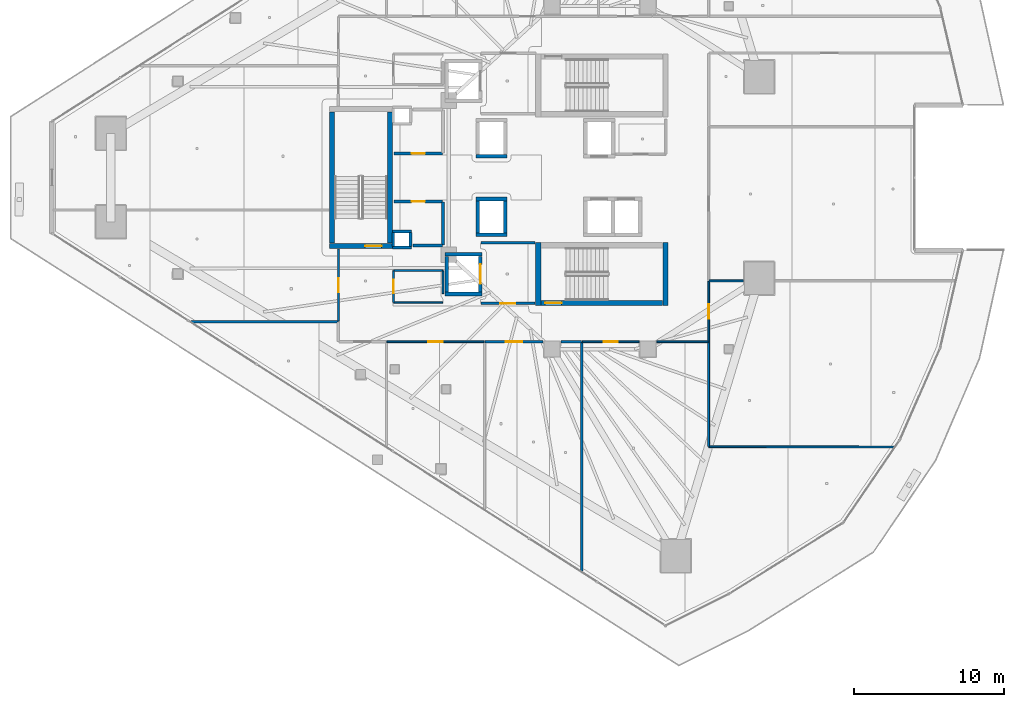
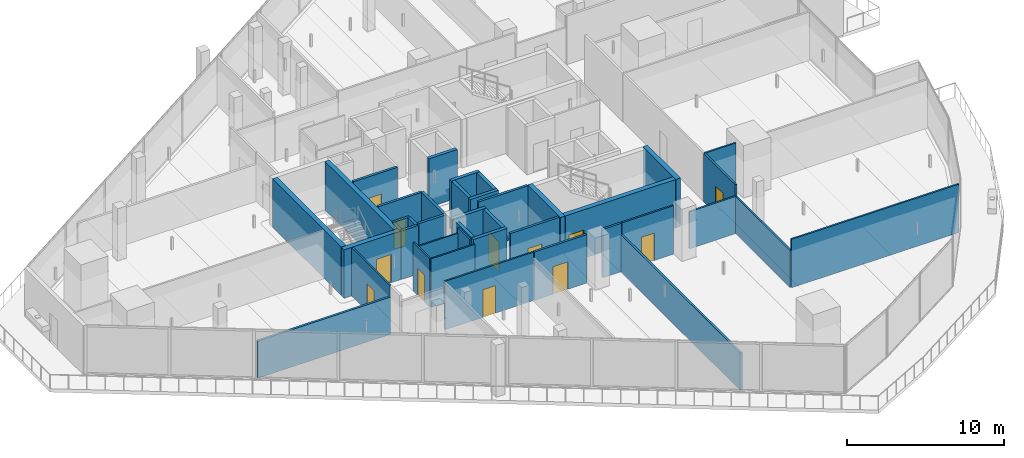
# One storey, part 24 of 38: 41 walls, 12 doors, 12 openings.
"""IFC4 building model written with IfcOpenShell, lengths in metres."""

from ifc_helpers import new_model, si_unit, direction, frame, frame_2d, origin, place, context, subcontext, project, spatial, rectangle, extrude, material, layer, layer_set, type_object, element, fill, save


model = new_model("IFC4")

# Units and contexts
model_context = context("Model", 3, precision=1e-05, world=origin(), true_north=direction((0.0, 1.0)))
body_context = subcontext(model_context, "Body", "Model", "MODEL_VIEW")
ifc_project = project(units=[si_unit("LENGTHUNIT", "METRE"), si_unit("AREAUNIT", "SQUARE_METRE"), si_unit("VOLUMEUNIT", "CUBIC_METRE"), si_unit("PLANEANGLEUNIT", "RADIAN"), si_unit("MASSUNIT", "GRAM", prefix="KILO")], contexts=[model_context])

# Site, building, storey
site_placement = place(None, origin())
site = spatial("IfcSite", under=ifc_project, at=site_placement, CompositionType="ELEMENT")
building_placement = place(site_placement, origin())
building = spatial("IfcBuilding", under=site, at=building_placement, Name="Qorvath Tower", CompositionType="ELEMENT")
storey_placement = place(building_placement, frame((0.0, 0.0, 146.25)))
storey = spatial("IfcBuildingStorey", under=building, at=storey_placement, Name="L33", CompositionType="ELEMENT", Elevation=146.25)

# Walls
ifc_material_1 = material(Name="Gypsum shaftliner on steel studs", Category="steel")
ifc_layer_1 = layer(ifc_material_1, 0.179931640625)
ifc_layer_set_1 = layer_set([ifc_layer_1], Name="FW-LOBBY")
wall_type_1 = type_object("IfcWallType", Name="FW-LOBBY", PredefinedType="PARTITIONING", material=ifc_layer_set_1)
for number, where, z_axis, x_axis, name in (
    (1, (-32.989990234375, -4.675048828125, 0.0), (0.0, 0.0, 1.0), (-1.0, 0.0, 0.0), "MEP Riser Shaft Enclosure Wall S-L33-S"),
    (2, (-34.260009765625, -3.594970703125, 0.0), (0.0, 0.0, 1.0), (1.0, 0.0, 0.0), "MEP Riser Shaft Enclosure Wall S-L33-N"),
):
    element("IfcWall", number, at=place(storey_placement, frame(where, z_axis=z_axis, x_axis=x_axis)), inside=storey, type_object=wall_type_1, Name=name, PredefinedType="PARTITIONING", context=body_context, shape_type="SweptSolid", body=[
        extrude(rectangle(XDim=1.27001953125, YDim=0.179931640625, at=frame_2d((0.635009765625, 0.0))), origin(), (0.0, 0.0, 1.0), 3.780029296875),
    ])
for number, where, z_axis, x_axis, name in (
    (3, (-34.205078125, -4.610107421875, 0.0), (0.0, 0.0, 1.0), (0.0, 1.0, 0.0), "MEP Riser Shaft Enclosure Wall S-L33-W"),
    (4, (-33.044921875, -3.659912109375, 0.0), (0.0, 0.0, 1.0), (0.0, -1.0, 0.0), "MEP Riser Shaft Enclosure Wall S-L33-E"),
):
    element("IfcWall", number, at=place(storey_placement, frame(where, z_axis=z_axis, x_axis=x_axis)), inside=storey, type_object=wall_type_1, Name=name, PredefinedType="PARTITIONING", context=body_context, shape_type="SweptSolid", body=[
        extrude(rectangle(XDim=0.9501953125, YDim=0.179931640625, at=frame_2d((0.47509765625, 0.0))), origin(), (0.0, 0.0, 1.0), 3.780029296875),
    ])

# Wall, opening, door
wall_1_placement = place(storey_placement, frame((-28.35498046875, -8.39990234375, 0.0), z_axis=(0.0, 0.0, 1.0), x_axis=(1.0, 0.0, 0.0)))
wall_1 = element("IfcWall", 5, at=wall_1_placement, inside=storey, type_object=wall_type_1, Name="Interior Partition IW-T1-L33-003", PredefinedType="PARTITIONING", context=body_context, shape_type="SweptSolid", body=[
    extrude(rectangle(XDim=3.6220703125, YDim=0.179931640625, at=frame_2d((1.81103515625, 0.0))), origin(), (0.0, 0.0, 1.0), 3.780029296875),
])
opening_1_placement = place(wall_1_placement, frame((1.31103515625, 0.0, 0.0)))
opening_1 = element("IfcOpeningElement", 6, at=opening_1_placement, cuts=wall_1, Name="Opening D-T1-L33-21", PredefinedType="OPENING", context=body_context, shape_type="SweptSolid", body=[
    extrude(rectangle(XDim=1.0, YDim=2.14990234375, at=frame_2d((0.5, 1.074951171875))), frame((0.0, 0.10009765625, 0.0), z_axis=(0.0, -1.0, 0.0), x_axis=(1.0, 0.0, 0.0)), (0.0, 0.0, 1.0), 0.199951171875),
])
ifc_material_2 = material(Name="Painted galvanised hollow metal", Category="steel")
door_type_1 = type_object("IfcDoorType", Name="FD-60", OperationType="NOTDEFINED", PredefinedType="DOOR", material=ifc_material_2)
door_1_placement = place(opening_1_placement, origin())
door_1 = element("IfcDoor", 7, at=door_1_placement, inside=storey, type_object=door_type_1, Name="Lobby Fire Service Elevator South Door D-T1-L33-21", OperationType="SINGLE_SWING_LEFT", OverallHeight=2.14990234375, OverallWidth=1.0, PredefinedType="DOOR", context=body_context, shape_type="SweptSolid", body=[
    extrude(rectangle(XDim=1.0, YDim=2.14990234375, at=frame_2d((0.5, 1.074951171875))), frame((0.0, 0.02490234375, 0.0), z_axis=(0.0, -1.0, 0.0), x_axis=(1.0, 0.0, 0.0)), (0.0, 0.0, 1.0), 0.050048828125),
])
fill(opening_1, door_1)

# Wall
wall_2_placement = place(storey_placement, frame((-24.73291015625, -4.35009765625, 0.0), z_axis=(0.0, 0.0, 1.0), x_axis=(-1.0, 0.0, 0.0)))
element("IfcWall", 8, at=wall_2_placement, inside=storey, type_object=wall_type_1, Name="Interior Partition IW-T1-L33-004", PredefinedType="PARTITIONING", context=body_context, shape_type="SweptSolid", body=[
    extrude(rectangle(XDim=3.6220703125, YDim=0.179931640625, at=frame_2d((1.81103515625, 0.0))), origin(), (0.0, 0.0, 1.0), 3.780029296875),
])

# Wall, opening, door
wall_3_placement = place(storey_placement, frame((-34.15478515625, 1.60009765625, 0.0), z_axis=(0.0, 0.0, 1.0), x_axis=(1.0, 0.0, 0.0)))
wall_3 = element("IfcWall", 9, at=wall_3_placement, inside=storey, type_object=wall_type_1, Name="Interior Partition IW-T1-L33-015", PredefinedType="PARTITIONING", context=body_context, shape_type="SweptSolid", body=[
    extrude(rectangle(XDim=3.25, YDim=0.179931640625, at=frame_2d((1.625, 0.0))), origin(), (0.0, 0.0, 1.0), 3.780029296875),
])
opening_2_placement = place(wall_3_placement, frame((1.18505859375, 0.0, 0.0)))
opening_2 = element("IfcOpeningElement", 10, at=opening_2_placement, cuts=wall_3, Name="Opening D-T1-L33-04", PredefinedType="OPENING", context=body_context, shape_type="SweptSolid", body=[
    extrude(rectangle(XDim=0.8798828125, YDim=2.10009765625, at=frame_2d((0.43994140625, 1.050048828125))), frame((0.0, 0.10009765625, 0.0), z_axis=(0.0, -1.0, 0.0), x_axis=(1.0, 0.0, 0.0)), (0.0, 0.0, 1.0), 0.199951171875),
])
ifc_material_3 = material(Name="Painted galvanised hollow metal", Category="steel")
door_type_2 = type_object("IfcDoorType", Name="FD-60N", OperationType="NOTDEFINED", PredefinedType="DOOR", material=ifc_material_3)
door_2_placement = place(opening_2_placement, origin())
door_2 = element("IfcDoor", 11, at=door_2_placement, inside=storey, type_object=door_type_2, Name="Core telecom and comms room L33 Door D-T1-L33-04", OperationType="SINGLE_SWING_RIGHT", OverallHeight=2.10009765625, OverallWidth=0.8798828125, PredefinedType="DOOR", context=body_context, shape_type="SweptSolid", body=[
    extrude(rectangle(XDim=0.8798828125, YDim=2.10009765625, at=frame_2d((0.43994140625, 1.050048828125))), frame((0.0, 0.02490234375, 0.0), z_axis=(0.0, -1.0, 0.0), x_axis=(1.0, 0.0, 0.0)), (0.0, 0.0, 1.0), 0.050048828125),
])
fill(opening_2, door_2)

# Walls
wall_4_placement = place(storey_placement, frame((-32.8798828125, -4.5400390625, 0.0), z_axis=(0.0, 0.0, 1.0), x_axis=(1.0, 0.0, 0.0)))
element("IfcWall", 12, at=wall_4_placement, inside=storey, type_object=wall_type_1, Name="Interior Partition IW-T1-L33-018", PredefinedType="PARTITIONING", context=body_context, shape_type="SweptSolid", body=[
    extrude(rectangle(XDim=1.97509765625, YDim=0.179931640625, at=frame_2d((0.987548828125, 0.0))), origin(), (0.0, 0.0, 1.0), 3.780029296875),
])
wall_5_placement = place(storey_placement, frame((-30.8798828125, -4.514892578125, 0.0), z_axis=(0.0, 0.0, 1.0), x_axis=(0.0, 1.0, 0.0)))
element("IfcWall", 13, at=wall_5_placement, inside=storey, type_object=wall_type_1, Name="Interior Partition IW-T1-L33-019", PredefinedType="PARTITIONING", context=body_context, shape_type="SweptSolid", body=[
    extrude(rectangle(XDim=2.889892578125, YDim=0.179931640625, at=frame_2d((1.44482421875, 0.0))), origin(), (0.0, 0.0, 1.0), 3.780029296875),
])

# Wall, opening, door
wall_6_placement = place(storey_placement, frame((-30.90478515625, -1.60009765625, 0.0), z_axis=(0.0, 0.0, 1.0), x_axis=(-1.0, 0.0, 0.0)))
wall_6 = element("IfcWall", 14, at=wall_6_placement, inside=storey, type_object=wall_type_1, Name="Interior Partition IW-T1-L33-020", PredefinedType="PARTITIONING", context=body_context, shape_type="SweptSolid", body=[
    extrude(rectangle(XDim=3.25, YDim=0.179931640625, at=frame_2d((1.625, 0.0))), origin(), (0.0, 0.0, 1.0), 3.780029296875),
])
opening_3_placement = place(wall_6_placement, frame((1.18505859375, 0.0, 0.0)))
opening_3 = element("IfcOpeningElement", 15, at=opening_3_placement, cuts=wall_6, Name="Opening D-T1-L33-05", PredefinedType="OPENING", context=body_context, shape_type="SweptSolid", body=[
    extrude(rectangle(XDim=0.8798828125, YDim=2.10009765625, at=frame_2d((0.43994140625, 1.050048828125))), frame((0.0, 0.10009765625, 0.0), z_axis=(0.0, -1.0, 0.0), x_axis=(1.0, 0.0, 0.0)), (0.0, 0.0, 1.0), 0.199951171875),
])
door_3_placement = place(opening_3_placement, origin())
door_3 = element("IfcDoor", 16, at=door_3_placement, inside=storey, type_object=door_type_2, Name="Core housekeeping store L33 Door D-T1-L33-05", OperationType="SINGLE_SWING_LEFT", OverallHeight=2.10009765625, OverallWidth=0.8798828125, PredefinedType="DOOR", context=body_context, shape_type="SweptSolid", body=[
    extrude(rectangle(XDim=0.8798828125, YDim=2.10009765625, at=frame_2d((0.43994140625, 1.050048828125))), frame((0.0, 0.02490234375, 0.0), z_axis=(0.0, -1.0, 0.0), x_axis=(1.0, 0.0, 0.0)), (0.0, 0.0, 1.0), 0.050048828125),
])
fill(opening_3, door_3)

ifc_material_4 = material(Name="Double acoustic gypsum board on steel studs", Category="steel")
ifc_layer_2 = layer(ifc_material_4, 0.159912109375)
ifc_layer_set_2 = layer_set([ifc_layer_2], Name="IW-ACOUSTIC-160")
wall_type_2 = type_object("IfcWallType", Name="IW-ACOUSTIC-160", PredefinedType="PARTITIONING", material=ifc_layer_set_2)
wall_7_placement = place(storey_placement, frame((-24.18994140625, -10.9580078125, 0.0), z_axis=(0.0, 0.0, 1.0), x_axis=(-1.0, 0.0, 0.0)))
wall_7 = element("IfcWall", 17, at=wall_7_placement, inside=storey, type_object=wall_type_2, Name="Interior Partition IW-T1-L33-036", PredefinedType="PARTITIONING", context=body_context, shape_type="SweptSolid", body=[
    extrude(rectangle(XDim=3.87890625, YDim=0.159912109375, at=frame_2d((1.939453125, 0.0))), origin(), (0.0, 0.0, 1.0), 3.780029296875),
])
opening_4_placement = place(wall_7_placement, frame((1.389404296875, 0.0, 0.0)))
opening_4 = element("IfcOpeningElement", 18, at=opening_4_placement, cuts=wall_7, Name="Opening D-T1-L33-11", PredefinedType="OPENING", context=body_context, shape_type="SweptSolid", body=[
    extrude(rectangle(XDim=1.10009765625, YDim=2.14990234375, at=frame_2d((0.550048828125, 1.074951171875))), frame((0.0, 0.08984375, 0.0), z_axis=(0.0, -1.0, 0.0), x_axis=(1.0, 0.0, 0.0)), (0.0, 0.0, 1.0), 0.179931640625),
])
ifc_material_5 = material(Name="Anodised aluminium acoustic framed glass", Category="aluminium")
door_type_3 = type_object("IfcDoorType", Name="D-03", OperationType="NOTDEFINED", PredefinedType="DOOR", material=ifc_material_5)
door_4_placement = place(opening_4_placement, origin())
door_4 = element("IfcDoor", 19, at=door_4_placement, inside=storey, type_object=door_type_3, Name="L33-06 Digital Visualization Suite Door D-T1-L33-11", OperationType="SINGLE_SWING_LEFT", OverallHeight=2.14990234375, OverallWidth=1.10009765625, PredefinedType="DOOR", context=body_context, shape_type="SweptSolid", body=[
    extrude(rectangle(XDim=1.10009765625, YDim=2.14990234375, at=frame_2d((0.550048828125, 1.074951171875))), frame((0.0, 0.02490234375, 0.0), z_axis=(0.0, -1.0, 0.0), x_axis=(1.0, 0.0, 0.0)), (0.0, 0.0, 1.0), 0.050048828125),
])
fill(opening_4, door_4)

# Walls
wall_8_placement = place(storey_placement, frame((-21.606201171875, -26.271240234375, 0.0), z_axis=(0.0, 0.0, 1.0), x_axis=(0.0, 1.0, 0.0)))
element("IfcWall", 20, at=wall_8_placement, inside=storey, type_object=wall_type_2, Name="Interior Partition IW-T1-L33-037", PredefinedType="PARTITIONING", context=body_context, shape_type="SweptSolid", body=[
    extrude(rectangle(XDim=15.288330078125, YDim=0.159912109375, at=frame_2d((7.64404296875, 0.0))), origin(), (0.0, 0.0, 1.0), 2.89501953125),
])
wall_9_placement = place(storey_placement, frame((-21.631103515625, -10.9580078125, 0.0), z_axis=(0.0, 0.0, 1.0), x_axis=(-1.0, 0.0, 0.0)))
element("IfcWall", 21, at=wall_9_placement, inside=storey, type_object=wall_type_2, Name="Interior Partition IW-T1-L33-038", PredefinedType="PARTITIONING", context=body_context, shape_type="SweptSolid", body=[
    extrude(rectangle(XDim=1.37890625, YDim=0.159912109375, at=frame_2d((0.689453125, 0.0))), origin(), (0.0, 0.0, 1.0), 3.780029296875),
])
wall_10_placement = place(storey_placement, frame((-37.8828125, -9.62353515625, 0.0), z_axis=(0.0, 0.0, 1.0), x_axis=(-1.0, 0.0, 0.0)))
element("IfcWall", 22, at=wall_10_placement, inside=storey, type_object=wall_type_2, Name="Interior Partition IW-T1-L33-053", PredefinedType="PARTITIONING", context=body_context, shape_type="SweptSolid", body=[
    extrude(rectangle(XDim=9.816162109375, YDim=0.159912109375, at=frame_2d((4.908203125, 0.0))), origin(), (0.0, 0.0, 1.0), 2.89990234375),
])

# Wall, opening, door
ifc_material_6 = material(Name="Gypsum board on metal studs with mineral wool", Category="gypsum")
ifc_layer_3 = layer(ifc_material_6, 0.125)
ifc_layer_set_3 = layer_set([ifc_layer_3], Name="IW-PART-125")
wall_type_3 = type_object("IfcWallType", Name="IW-PART-125", PredefinedType="PARTITIONING", material=ifc_layer_set_3)
wall_11_placement = place(storey_placement, frame((-28.126708984375, -10.9580078125, 0.0), z_axis=(0.0, 0.0, 1.0), x_axis=(-1.0, 0.0, 0.0)))
wall_11 = element("IfcWall", 23, at=wall_11_placement, inside=storey, type_object=wall_type_3, Name="Interior Partition IW-T1-L33-033", PredefinedType="PARTITIONING", context=body_context, shape_type="SweptSolid", body=[
    extrude(rectangle(XDim=6.498291015625, YDim=0.125, at=frame_2d((3.2490234375, 0.0))), origin(), (0.0, 0.0, 1.0), 3.780029296875),
])
opening_5_placement = place(wall_11_placement, frame((2.774169921875, 0.0, 0.0)))
opening_5 = element("IfcOpeningElement", 24, at=opening_5_placement, cuts=wall_11, Name="Opening D-T1-L33-10", PredefinedType="OPENING", context=body_context, shape_type="SweptSolid", body=[
    extrude(rectangle(XDim=0.949951171875, YDim=2.14990234375, at=frame_2d((0.47509765625, 1.074951171875))), frame((0.0, 0.072509765625, 0.0), z_axis=(0.0, -1.0, 0.0), x_axis=(1.0, 0.0, 0.0)), (0.0, 0.0, 1.0), 0.14501953125),
])
ifc_material_7 = material(Name="Solid-core American white oak veneer", Category="wood")
door_type_4 = type_object("IfcDoorType", Name="D-01", OperationType="NOTDEFINED", PredefinedType="DOOR", material=ifc_material_7)
door_5_placement = place(opening_5_placement, origin())
door_5 = element("IfcDoor", 25, at=door_5_placement, inside=storey, type_object=door_type_4, Name="L33-05 Breakout Reading Alcove Door D-T1-L33-10", OperationType="SINGLE_SWING_RIGHT", OverallHeight=2.14990234375, OverallWidth=0.949951171875, PredefinedType="DOOR", context=body_context, shape_type="SweptSolid", body=[
    extrude(rectangle(XDim=0.949951171875, YDim=2.14990234375, at=frame_2d((0.47509765625, 1.074951171875))), frame((0.0, 0.02490234375, 0.0), z_axis=(0.0, -1.0, 0.0), x_axis=(1.0, 0.0, 0.0)), (0.0, 0.0, 1.0), 0.050048828125),
])
fill(opening_5, door_5)

# Walls
wall_12_placement = place(storey_placement, frame((-0.784423828125, -17.984130859375, 0.0), z_axis=(0.0, 0.0, 1.0), x_axis=(-0.999999121527, 0.001325497876, 0.0)))
element("IfcWall", 26, at=wall_12_placement, inside=storey, type_object=wall_type_3, Name="Interior Partition IW-T1-L33-039", PredefinedType="PARTITIONING", context=body_context, shape_type="SweptSolid", body=[
    extrude(rectangle(XDim=12.340576171875, YDim=0.125, at=frame_2d((6.17041015625, 0.0))), origin(), (0.0, 0.0, 1.0), 3.780029296875),
])
wall_13_placement = place(storey_placement, frame((-13.14990234375, -17.94287109375, 0.0), z_axis=(0.0, 0.0, 1.0), x_axis=(0.0, 1.0, 0.0)))
element("IfcWall", 27, at=wall_13_placement, inside=storey, type_object=wall_type_3, Name="Interior Partition IW-T1-L33-040", PredefinedType="PARTITIONING", context=body_context, shape_type="SweptSolid", body=[
    extrude(rectangle(XDim=6.9599609375, YDim=0.125, at=frame_2d((3.47998046875, 0.0))), origin(), (0.0, 0.0, 1.0), 2.89990234375),
])
wall_14_placement = place(storey_placement, frame((-13.1748046875, -10.9580078125, 0.0), z_axis=(0.0, 0.0, 1.0), x_axis=(-1.0, 0.0, 0.0)))
element("IfcWall", 28, at=wall_14_placement, inside=storey, type_object=wall_type_3, Name="Interior Partition IW-T1-L33-041", PredefinedType="PARTITIONING", context=body_context, shape_type="SweptSolid", body=[
    extrude(rectangle(XDim=3.435302734375, YDim=0.125, at=frame_2d((1.7177734375, 0.0))), origin(), (0.0, 0.0, 1.0), 2.89501953125),
])

# Wall, opening, door
wall_15_placement = place(storey_placement, frame((-17.7900390625, -10.9580078125, 0.0), z_axis=(0.0, 0.0, 1.0), x_axis=(-1.0, 0.0, 0.0)))
wall_15 = element("IfcWall", 29, at=wall_15_placement, inside=storey, type_object=wall_type_3, Name="Interior Partition IW-T1-L33-042", PredefinedType="PARTITIONING", context=body_context, shape_type="SweptSolid", body=[
    extrude(rectangle(XDim=3.783447265625, YDim=0.125, at=frame_2d((1.8916015625, 0.0))), origin(), (0.0, 0.0, 1.0), 3.780029296875),
])
opening_6_placement = place(wall_15_placement, frame((1.416748046875, 0.0, 0.0)))
opening_6 = element("IfcOpeningElement", 30, at=opening_6_placement, cuts=wall_15, Name="Opening D-T1-L33-12", PredefinedType="OPENING", context=body_context, shape_type="SweptSolid", body=[
    extrude(rectangle(XDim=0.949951171875, YDim=2.14990234375, at=frame_2d((0.47509765625, 1.074951171875))), frame((0.0, 0.072509765625, 0.0), z_axis=(0.0, -1.0, 0.0), x_axis=(1.0, 0.0, 0.0)), (0.0, 0.0, 1.0), 0.14501953125),
])
door_6_placement = place(opening_6_placement, origin())
door_6 = element("IfcDoor", 31, at=door_6_placement, inside=storey, type_object=door_type_4, Name="L33-07 Quantitative Research Studio Door D-T1-L33-12", OperationType="SINGLE_SWING_RIGHT", OverallHeight=2.14990234375, OverallWidth=0.949951171875, PredefinedType="DOOR", context=body_context, shape_type="SweptSolid", body=[
    extrude(rectangle(XDim=0.949951171875, YDim=2.14990234375, at=frame_2d((0.47509765625, 1.074951171875))), frame((0.0, 0.02490234375, 0.0), z_axis=(0.0, -1.0, 0.0), x_axis=(1.0, 0.0, 0.0)), (0.0, 0.0, 1.0), 0.050048828125),
])
fill(opening_6, door_6)

# Wall
wall_16_placement = place(storey_placement, frame((-10.835205078125, -6.896728515625, 0.0), z_axis=(0.0, 0.0, 1.0), x_axis=(-1.0, 0.0, 0.0)))
element("IfcWall", 32, at=wall_16_placement, inside=storey, type_object=wall_type_3, Name="Interior Partition IW-T1-L33-044", PredefinedType="PARTITIONING", context=body_context, shape_type="SweptSolid", body=[
    extrude(rectangle(XDim=2.281982421875, YDim=0.125, at=frame_2d((1.14111328125, 0.0))), origin(), (0.0, 0.0, 1.0), 3.780029296875),
])

# Wall, opening, door
wall_17_placement = place(storey_placement, frame((-13.14208984375, -6.921630859375, 0.0), z_axis=(0.0, 0.0, 1.0), x_axis=(0.0, -1.0, 0.0)))
wall_17 = element("IfcWall", 33, at=wall_17_placement, inside=storey, type_object=wall_type_3, Name="Interior Partition IW-T1-L33-045", PredefinedType="PARTITIONING", context=body_context, shape_type="SweptSolid", body=[
    extrude(rectangle(XDim=4.036376953125, YDim=0.125, at=frame_2d((2.01806640625, 0.0))), origin(), (0.0, 0.0, 1.0), 3.780029296875),
])
opening_7_placement = place(wall_17_placement, frame((1.543212890625, 0.0, 0.0)))
opening_7 = element("IfcOpeningElement", 34, at=opening_7_placement, cuts=wall_17, Name="Opening D-T1-L33-13", PredefinedType="OPENING", context=body_context, shape_type="SweptSolid", body=[
    extrude(rectangle(XDim=0.949951171875, YDim=2.14990234375, at=frame_2d((0.47509765625, 1.074951171875))), frame((0.0, 0.072509765625, 0.0), z_axis=(0.0, -1.0, 0.0), x_axis=(1.0, 0.0, 0.0)), (0.0, 0.0, 1.0), 0.14501953125),
])
door_7_placement = place(opening_7_placement, origin())
door_7 = element("IfcDoor", 35, at=door_7_placement, inside=storey, type_object=door_type_4, Name="L33-08 Engineering Documentation Suite Door D-T1-L33-13", OperationType="SINGLE_SWING_LEFT", OverallHeight=2.14990234375, OverallWidth=0.949951171875, PredefinedType="DOOR", context=body_context, shape_type="SweptSolid", body=[
    extrude(rectangle(XDim=0.949951171875, YDim=2.14990234375, at=frame_2d((0.47509765625, 1.074951171875))), frame((0.0, 0.02490234375, 0.0), z_axis=(0.0, -1.0, 0.0), x_axis=(1.0, 0.0, 0.0)), (0.0, 0.0, 1.0), 0.050048828125),
])
fill(opening_7, door_7)

wall_18_placement = place(storey_placement, frame((-37.85791015625, -9.590576171875, 0.0), z_axis=(0.0, 0.0, 1.0), x_axis=(0.0, 1.0, 0.0)))
wall_18 = element("IfcWall", 36, at=wall_18_placement, inside=storey, type_object=wall_type_3, Name="Interior Partition IW-T1-L33-054", PredefinedType="PARTITIONING", context=body_context, shape_type="SweptSolid", body=[
    extrude(rectangle(XDim=4.807373046875, YDim=0.125, at=frame_2d((2.40380859375, 0.0))), origin(), (0.0, 0.0, 1.0), 3.780029296875),
])
opening_8_placement = place(wall_18_placement, frame((1.9287109375, 0.0, 0.0)))
opening_8 = element("IfcOpeningElement", 37, at=opening_8_placement, cuts=wall_18, Name="Opening D-T1-L33-17", PredefinedType="OPENING", context=body_context, shape_type="SweptSolid", body=[
    extrude(rectangle(XDim=0.949951171875, YDim=2.14990234375, at=frame_2d((0.47509765625, 1.074951171875))), frame((0.0, 0.072509765625, 0.0), z_axis=(0.0, -1.0, 0.0), x_axis=(1.0, 0.0, 0.0)), (0.0, 0.0, 1.0), 0.14501953125),
])
door_8_placement = place(opening_8_placement, origin())
door_8 = element("IfcDoor", 38, at=door_8_placement, inside=storey, type_object=door_type_4, Name="L33-12 Project Collaboration Workspace Door D-T1-L33-17", OperationType="SINGLE_SWING_LEFT", OverallHeight=2.14990234375, OverallWidth=0.949951171875, PredefinedType="DOOR", context=body_context, shape_type="SweptSolid", body=[
    extrude(rectangle(XDim=0.949951171875, YDim=2.14990234375, at=frame_2d((0.47509765625, 1.074951171875))), frame((0.0, 0.02490234375, 0.0), z_axis=(0.0, -1.0, 0.0), x_axis=(1.0, 0.0, 0.0)), (0.0, 0.0, 1.0), 0.050048828125),
])
fill(opening_8, door_8)

ifc_material_8 = material(Name="Moisture-resistant cement board on metal studs", Category="gypsum")
ifc_layer_4 = layer(ifc_material_8, 0.110107421875)
ifc_layer_set_4 = layer_set([ifc_layer_4], Name="IW-WC-110")
wall_type_4 = type_object("IfcWallType", Name="IW-WC-110", PredefinedType="PARTITIONING", material=ifc_layer_set_4)
wall_19_placement = place(storey_placement, frame((-34.179931640625, -6.22509765625, 0.0), z_axis=(0.0, 0.0, 1.0), x_axis=(0.0, -1.0, 0.0)))
wall_19 = element("IfcWall", 39, at=wall_19_placement, inside=storey, type_object=wall_type_4, Name="Interior Partition IW-T1-L33-009", PredefinedType="PARTITIONING", context=body_context, shape_type="SweptSolid", body=[
    extrude(rectangle(XDim=2.10009765625, YDim=0.110107421875, at=frame_2d((1.050048828125, 0.0))), origin(), (0.0, 0.0, 1.0), 3.780029296875),
])
opening_9_placement = place(wall_19_placement, frame((0.610107421875, 0.0, 0.0)))
opening_9 = element("IfcOpeningElement", 40, at=opening_9_placement, cuts=wall_19, Name="Opening D-T1-L33-02", PredefinedType="OPENING", context=body_context, shape_type="SweptSolid", body=[
    extrude(rectangle(XDim=0.8798828125, YDim=2.10009765625, at=frame_2d((0.43994140625, 1.050048828125))), frame((0.0, 0.06494140625, 0.0), z_axis=(0.0, -1.0, 0.0), x_axis=(1.0, 0.0, 0.0)), (0.0, 0.0, 1.0), 0.130126953125),
])
ifc_material_9 = material(Name="Solid-core oak with acoustic drop seal", Category="wood")
door_type_5 = type_object("IfcDoorType", Name="D-02", OperationType="NOTDEFINED", PredefinedType="DOOR", material=ifc_material_9)
door_9_placement = place(opening_9_placement, origin())
door_9 = element("IfcDoor", 41, at=door_9_placement, inside=storey, type_object=door_type_5, Name="Accessible WC South L33 Door D-T1-L33-02", OperationType="SINGLE_SWING_RIGHT", OverallHeight=2.10009765625, OverallWidth=0.8798828125, PredefinedType="DOOR", context=body_context, shape_type="SweptSolid", body=[
    extrude(rectangle(XDim=0.8798828125, YDim=2.10009765625, at=frame_2d((0.43994140625, 1.050048828125))), frame((0.0, 0.02490234375, 0.0), z_axis=(0.0, -1.0, 0.0), x_axis=(1.0, 0.0, 0.0)), (0.0, 0.0, 1.0), 0.050048828125),
])
fill(opening_9, door_9)

# Walls
wall_20_placement = place(storey_placement, frame((-34.15478515625, -8.35009765625, 0.0), z_axis=(0.0, 0.0, 1.0), x_axis=(1.0, 0.0, 0.0)))
element("IfcWall", 42, at=wall_20_placement, inside=storey, type_object=wall_type_4, Name="Interior Partition IW-T1-L33-010", PredefinedType="PARTITIONING", context=body_context, shape_type="SweptSolid", body=[
    extrude(rectangle(XDim=3.25, YDim=0.110107421875, at=frame_2d((1.625, 0.0))), origin(), (0.0, 0.0, 1.0), 3.780029296875),
])
wall_21_placement = place(storey_placement, frame((-30.8798828125, -7.742919921875, 0.0), z_axis=(0.0, 0.0, 1.0), x_axis=(0.0, 1.0, 0.0)))
element("IfcWall", 43, at=wall_21_placement, inside=storey, type_object=wall_type_4, Name="Interior Partition IW-T1-L33-011", PredefinedType="PARTITIONING", context=body_context, shape_type="SweptSolid", body=[
    extrude(rectangle(XDim=1.517822265625, YDim=0.110107421875, at=frame_2d((0.7587890625, 0.0))), origin(), (0.0, 0.0, 1.0), 3.780029296875),
])
wall_22_placement = place(storey_placement, frame((-30.90478515625, -6.199951171875, 0.0), z_axis=(0.0, 0.0, 1.0), x_axis=(-1.0, 0.0, 0.0)))
element("IfcWall", 44, at=wall_22_placement, inside=storey, type_object=wall_type_4, Name="Interior Partition IW-T1-L33-012", PredefinedType="PARTITIONING", context=body_context, shape_type="SweptSolid", body=[
    extrude(rectangle(XDim=3.25, YDim=0.110107421875, at=frame_2d((1.625, 0.0))), origin(), (0.0, 0.0, 1.0), 3.34375),
])
ifc_material_10 = material(Name="Concrete C60/75", Category="concrete")
ifc_layer_5 = layer(ifc_material_10, 0.260009765625)
ifc_layer_set_5 = layer_set([ifc_layer_5], Name="SW-SHAFT")
wall_type_5 = type_object("IfcWallType", Name="SW-SHAFT", PredefinedType="SHEAR", material=ifc_layer_set_5)
for number, where, z_axis, x_axis, name in (
    (45, (-28.260009765625, -7.77001953125, 0.0), (0.0, 0.0, 1.0), (-1.0, 0.0, 0.0), "Hoistway Wall FSAE-2 L33 S"),
    (46, (-30.739990234375, -5.1298828125, 0.0), (0.0, 0.0, 1.0), (1.0, 0.0, 0.0), "Hoistway Wall FSAE-2 L33 N"),
):
    element("IfcWall", number, at=place(storey_placement, frame(where, z_axis=z_axis, x_axis=x_axis)), inside=storey, type_object=wall_type_5, Name=name, PredefinedType="SHEAR", context=body_context, shape_type="SweptSolid", body=[
        extrude(rectangle(XDim=2.47998046875, YDim=0.239990234375, at=frame_2d((1.239990234375, 0.0))), origin(), (0.0, 0.0, 1.0), 3.780029296875),
    ])
wall_23_placement = place(storey_placement, frame((-30.6201171875, -7.637939453125, 0.0), z_axis=(0.0, 0.0, 1.0), x_axis=(0.0, 1.0, 0.0)))
element("IfcWall", 47, at=wall_23_placement, inside=storey, type_object=wall_type_5, Name="Hoistway Wall FSAE-2 L33 W", PredefinedType="SHEAR", context=body_context, shape_type="SweptSolid", body=[
    extrude(rectangle(XDim=2.3759765625, YDim=0.239990234375, at=frame_2d((1.18798828125, 0.0))), origin(), (0.0, 0.0, 1.0), 3.780029296875),
])

# Wall, opening, door
wall_24_placement = place(storey_placement, frame((-28.3798828125, -5.261962890625, 0.0), z_axis=(0.0, 0.0, 1.0), x_axis=(0.0, -1.0, 0.0)))
wall_24 = element("IfcWall", 48, at=wall_24_placement, inside=storey, type_object=wall_type_5, Name="Hoistway Wall FSAE-2 L33 E", PredefinedType="SHEAR", context=body_context, shape_type="SweptSolid", body=[
    extrude(rectangle(XDim=2.3759765625, YDim=0.239990234375, at=frame_2d((1.18798828125, 0.0))), origin(), (0.0, 0.0, 1.0), 3.780029296875),
])
opening_10_placement = place(wall_24_placement, frame((0.5380859375, 0.0, 0.0)))
opening_10 = element("IfcOpeningElement", 49, at=opening_10_placement, cuts=wall_24, Name="Opening LD-FSAE-2-L33", PredefinedType="OPENING", context=body_context, shape_type="SweptSolid", body=[
    extrude(rectangle(XDim=1.300048828125, YDim=2.300048828125, at=frame_2d((0.64990234375, 1.14990234375))), frame((0.0, 0.1298828125, 0.0), z_axis=(0.0, -1.0, 0.0), x_axis=(1.0, 0.0, 0.0)), (0.0, 0.0, 1.0), 0.260009765625),
])
ifc_material_11 = material(Name="Brushed stainless steel AISI 316", Category="steel")
door_type_6 = type_object("IfcDoorType", Name="LD-02", OperationType="NOTDEFINED", PredefinedType="DOOR", material=ifc_material_11)
door_10_placement = place(opening_10_placement, origin())
door_10 = element("IfcDoor", 50, at=door_10_placement, inside=storey, type_object=door_type_6, Name="Elevator Landing Sliding Door LD-FSAE-2-L33", OperationType="DOUBLE_DOOR_SLIDING", OverallHeight=2.300048828125, OverallWidth=1.300048828125, PredefinedType="DOOR", context=body_context, shape_type="SweptSolid", body=[
    extrude(rectangle(XDim=1.300048828125, YDim=2.300048828125, at=frame_2d((0.64990234375, 1.14990234375))), frame((0.0, 0.02490234375, 0.0), z_axis=(0.0, -1.0, 0.0), x_axis=(1.0, 0.0, 0.0)), (0.0, 0.0, 1.0), 0.050048828125),
])
fill(opening_10, door_10)

# Walls
for number, where, z_axis, x_axis, name in (
    (51, (-26.610107421875, 1.429931640625, 0.0), (0.0, 0.0, 1.0), (-1.0, 0.0, 0.0), "Hoistway Wall PS-1 L33 S"),
    (52, (-26.610107421875, -3.820068359375, 0.0), (0.0, 0.0, 1.0), (-1.0, 0.0, 0.0), "Hoistway Wall PS-2 L33 S"),
    (53, (-28.68994140625, -1.429931640625, 0.0), (0.0, 0.0, 1.0), (1.0, 0.0, 0.0), "Hoistway Wall PS-2 L33 N"),
):
    element("IfcWall", number, at=place(storey_placement, frame(where, z_axis=z_axis, x_axis=x_axis)), inside=storey, type_object=wall_type_5, Name=name, PredefinedType="SHEAR", context=body_context, shape_type="SweptSolid", body=[
        extrude(rectangle(XDim=2.079833984375, YDim=0.239990234375, at=frame_2d((1.0400390625, 0.0))), origin(), (0.0, 0.0, 1.0), 3.780029296875),
    ])
for number, where, z_axis, x_axis, name in (
    (54, (-28.570068359375, -3.68798828125, 0.0), (0.0, 0.0, 1.0), (0.0, 1.0, 0.0), "Hoistway Wall PS-2 L33 W"),
    (55, (-26.72998046875, -1.56201171875, 0.0), (0.0, 0.0, 1.0), (0.0, -1.0, 0.0), "Hoistway Wall PS-2 L33 E"),
):
    element("IfcWall", number, at=place(storey_placement, frame(where, z_axis=z_axis, x_axis=x_axis)), inside=storey, type_object=wall_type_5, Name=name, PredefinedType="SHEAR", context=body_context, shape_type="SweptSolid", body=[
        extrude(rectangle(XDim=2.1259765625, YDim=0.239990234375, at=frame_2d((1.06298828125, 0.0))), origin(), (0.0, 0.0, 1.0), 3.780029296875),
    ])
ifc_material_12 = material(Name="Concrete C60/75", Category="concrete")
ifc_layer_6 = layer(ifc_material_12, 0.35009765625)
ifc_layer_set_6 = layer_set([ifc_layer_6], Name="SW-STAIR")
wall_type_6 = type_object("IfcWallType", Name="SW-STAIR", PredefinedType="SHEAR", material=ifc_layer_set_6)
for number, where, z_axis, x_axis, name in (
    (56, (-24.52490234375, -4.340087890625, 0.0), (0.0, 0.0, 1.0), (0.0, -1.0, 0.0), "Stair TS2 Shear Wall L33 NEAR"),
    (57, (-16.02490234375, -8.550048828125, 0.0), (0.0, 0.0, 1.0), (0.0, 1.0, 0.0), "Stair TS2 Shear Wall L33 FAR"),
):
    element("IfcWall", number, at=place(storey_placement, frame(where, z_axis=z_axis, x_axis=x_axis)), inside=storey, type_object=wall_type_6, Name=name, PredefinedType="SHEAR", context=body_context, shape_type="SweptSolid", body=[
        extrude(rectangle(XDim=4.2099609375, YDim=0.35009765625, at=frame_2d((2.10498046875, 0.0))), origin(), (0.0, 0.0, 1.0), 3.780029296875),
    ])

# Wall, opening, door
wall_25_placement = place(storey_placement, frame((-24.3349609375, -8.375, 0.0), z_axis=(0.0, 0.0, 1.0), x_axis=(1.0, 0.0, 0.0)))
wall_25 = element("IfcWall", 58, at=wall_25_placement, inside=storey, type_object=wall_type_6, Name="Stair TS2 Shear Wall L33 LEFT", PredefinedType="SHEAR", context=body_context, shape_type="SweptSolid", body=[
    extrude(rectangle(XDim=8.119873046875, YDim=0.35009765625, at=frame_2d((4.06005859375, 0.0))), origin(), (0.0, 0.0, 1.0), 3.780029296875),
])
opening_11_placement = place(wall_25_placement, frame((0.280029296875, 0.0, 0.0)))
opening_11 = element("IfcOpeningElement", 59, at=opening_11_placement, cuts=wall_25, Name="Opening D-TS2-L33", PredefinedType="OPENING", context=body_context, shape_type="SweptSolid", body=[
    extrude(rectangle(XDim=1.10009765625, YDim=2.199951171875, at=frame_2d((0.550048828125, 1.10009765625))), frame((0.0, 0.18505859375, 0.0), z_axis=(0.0, -1.0, 0.0), x_axis=(1.0, 0.0, 0.0)), (0.0, 0.0, 1.0), 0.3701171875),
])
ifc_material_13 = material(Name="Painted galvanised hollow metal", Category="steel")
door_type_7 = type_object("IfcDoorType", Name="FD-90", OperationType="NOTDEFINED", PredefinedType="DOOR", material=ifc_material_13)
door_11_placement = place(opening_11_placement, origin())
door_11 = element("IfcDoor", 60, at=door_11_placement, inside=storey, type_object=door_type_7, Name="Stair TS2 Fire Door L33", OperationType="SINGLE_SWING_RIGHT", OverallHeight=2.199951171875, OverallWidth=1.10009765625, PredefinedType="DOOR", context=body_context, shape_type="SweptSolid", body=[
    extrude(rectangle(XDim=1.10009765625, YDim=2.199951171875, at=frame_2d((0.550048828125, 1.10009765625))), frame((0.0, 0.02490234375, 0.0), z_axis=(0.0, -1.0, 0.0), x_axis=(1.0, 0.0, 0.0)), (0.0, 0.0, 1.0), 0.050048828125),
])
fill(opening_11, door_11)

wall_26_placement = place(storey_placement, frame((-38.4599609375, -4.574951171875, 0.0), z_axis=(0.0, 0.0, 1.0), x_axis=(1.0, 0.0, 0.0)))
wall_26 = element("IfcWall", 61, at=wall_26_placement, inside=storey, type_object=wall_type_6, Name="Stair TS3 Shear Wall L33 NEAR", PredefinedType="SHEAR", context=body_context, shape_type="SweptSolid", body=[
    extrude(rectangle(XDim=4.2099609375, YDim=0.35009765625, at=frame_2d((2.10498046875, 0.0))), origin(), (0.0, 0.0, 1.0), 3.780029296875),
])
opening_12_placement = place(wall_26_placement, frame((2.389892578125, 0.0, 0.0)))
opening_12 = element("IfcOpeningElement", 62, at=opening_12_placement, cuts=wall_26, Name="Opening D-TS3-L33", PredefinedType="OPENING", context=body_context, shape_type="SweptSolid", body=[
    extrude(rectangle(XDim=1.10009765625, YDim=2.199951171875, at=frame_2d((0.550048828125, 1.10009765625))), frame((0.0, 0.18505859375, 0.0), z_axis=(0.0, -1.0, 0.0), x_axis=(1.0, 0.0, 0.0)), (0.0, 0.0, 1.0), 0.3701171875),
])
door_12_placement = place(opening_12_placement, origin())
door_12 = element("IfcDoor", 63, at=door_12_placement, inside=storey, type_object=door_type_7, Name="Stair TS3 Fire Door L33", OperationType="SINGLE_SWING_RIGHT", OverallHeight=2.199951171875, OverallWidth=1.10009765625, PredefinedType="DOOR", context=body_context, shape_type="SweptSolid", body=[
    extrude(rectangle(XDim=1.10009765625, YDim=2.199951171875, at=frame_2d((0.550048828125, 1.10009765625))), frame((0.0, 0.02490234375, 0.0), z_axis=(0.0, -1.0, 0.0), x_axis=(1.0, 0.0, 0.0)), (0.0, 0.0, 1.0), 0.050048828125),
])
fill(opening_12, door_12)

# Walls
for number, where, z_axis, x_axis, name in (
    (64, (-34.425048828125, -4.385009765625, 0.0), (0.0, 0.0, 1.0), (0.0, 1.0, 0.0), "Stair TS3 Shear Wall L33 LEFT"),
    (65, (-38.284912109375, 4.385009765625, 0.0), (0.0, 0.0, 1.0), (0.0, -1.0, 0.0), "Stair TS3 Shear Wall L33 RIGHT"),
):
    element("IfcWall", number, at=place(storey_placement, frame(where, z_axis=z_axis, x_axis=x_axis)), inside=storey, type_object=wall_type_6, Name=name, PredefinedType="SHEAR", context=body_context, shape_type="SweptSolid", body=[
        extrude(rectangle(XDim=8.77001953125, YDim=0.35009765625, at=frame_2d((4.385009765625, 0.0))), origin(), (0.0, 0.0, 1.0), 3.780029296875),
    ])

save(model, "model.ifc")
